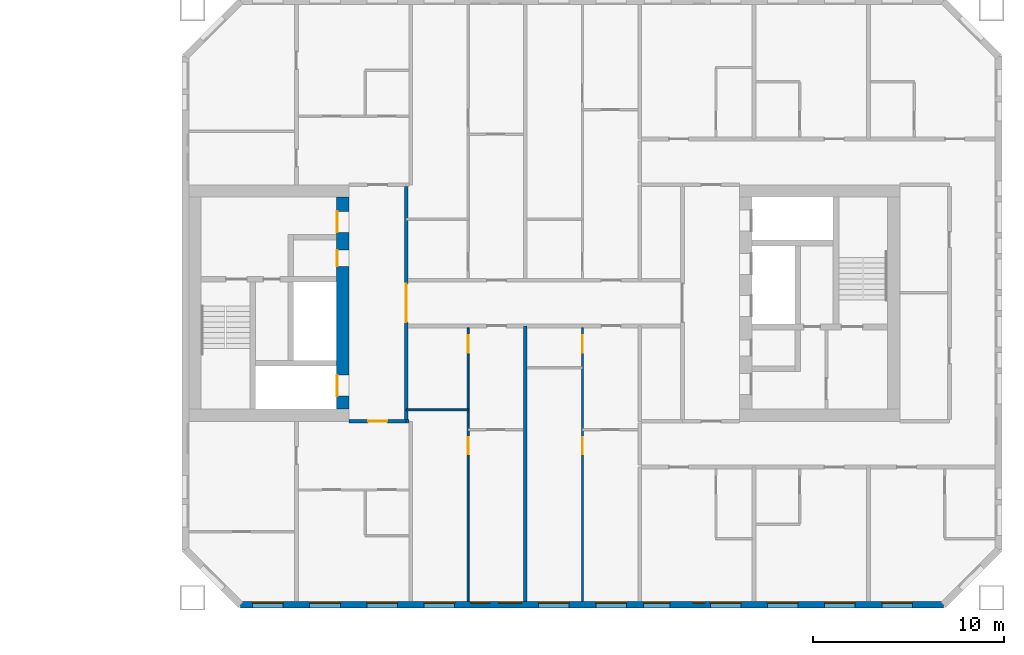
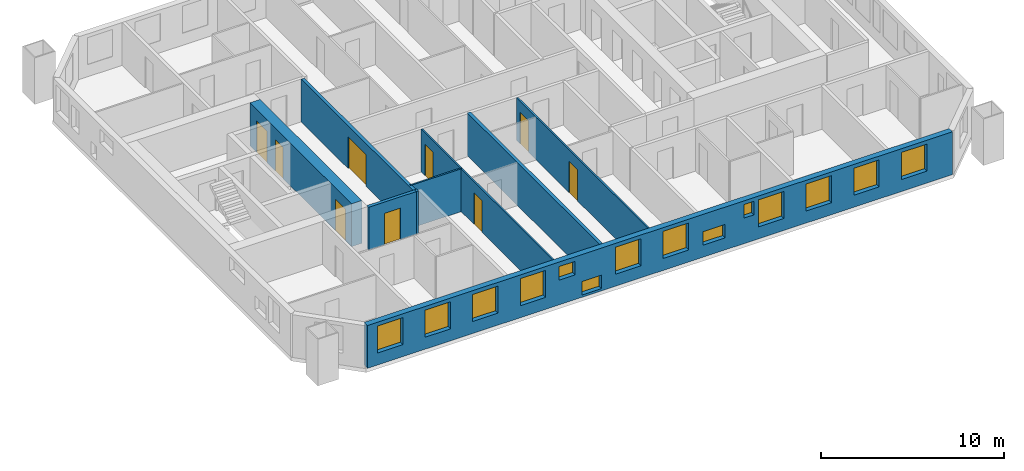
# One storey, part 10 of 17: 14 windows, 9 doors, 9 walls, 23 openings.
"""IFC4 building model written with IfcOpenShell, lengths in metres."""

from ifc_helpers import new_model, si_unit, direction, frame, frame_2d, origin, place, context, subcontext, project, spatial, rectangle, extrude, material, layer, layer_set, type_object, element, fill, save


model = new_model("IFC4")

# Units and contexts
model_context = context("Model", 3, precision=1e-05, world=origin(), true_north=direction((0.0, 1.0)))
body_context = subcontext(model_context, "Body", "Model", "MODEL_VIEW")
ifc_project = project(units=[si_unit("LENGTHUNIT", "METRE"), si_unit("AREAUNIT", "SQUARE_METRE"), si_unit("VOLUMEUNIT", "CUBIC_METRE"), si_unit("PLANEANGLEUNIT", "RADIAN"), si_unit("MASSUNIT", "GRAM", prefix="KILO")], contexts=[model_context])

# Site, building, storey
site_placement = place(None, origin())
site = spatial("IfcSite", under=ifc_project, at=site_placement, CompositionType="ELEMENT")
building_placement = place(site_placement, origin())
building = spatial("IfcBuilding", under=site, at=building_placement, Name="Tuart Gate Housing", CompositionType="ELEMENT")
storey_placement = place(building_placement, frame((0.0, 0.0, 108.800048828125)))
storey = spatial("IfcBuildingStorey", under=building, at=storey_placement, Name="L30", CompositionType="ELEMENT", Elevation=108.800048828125)

# Wall, openings, windows
ifc_material_1 = material(Name="Brick", Category="masonry")
ifc_layer_1 = layer(ifc_material_1, 0.360107421875)
ifc_layer_set_1 = layer_set([ifc_layer_1], Name="Brick pier and spandrel wall 360")
wall_type_1 = type_object("IfcWallType", Name="Brick pier and spandrel wall 360", PredefinedType="STANDARD", material=ifc_layer_set_1)
wall_1_placement = place(storey_placement, frame((134.07470703125, 54.179931640625, 0.0), z_axis=(0.0, 0.0, 1.0), x_axis=(1.0, 0.0, 0.0)))
wall_1 = element("IfcWall", 1, at=wall_1_placement, inside=storey, type_object=wall_type_1, Name="External wall B-S L30", PredefinedType="STANDARD", context=body_context, shape_type="SweptSolid", body=[
    extrude(rectangle(XDim=36.850830078125, YDim=0.360107421875, at=frame_2d((18.42529296875, 0.0))), origin(), (0.0, 0.0, 1.0), 2.849853515625),
])
opening_1_placement = place(wall_1_placement, frame((0.62548828125, 0.0, 0.800048828125)))
opening_1 = element("IfcOpeningElement", 2, at=opening_1_placement, cuts=wall_1, Name="Opening W1", PredefinedType="OPENING", context=body_context, shape_type="SweptSolid", body=[
    extrude(rectangle(XDim=1.60009765625, YDim=1.800048828125, at=frame_2d((0.800048828125, 0.89990234375))), frame((0.0, 0.18994140625, 0.0), z_axis=(0.0, -1.0, 0.0), x_axis=(1.0, 0.0, 0.0)), (0.0, 0.0, 1.0), 0.380126953125),
])
opening_2_placement = place(wall_1_placement, frame((3.62548828125, 0.0, 0.800048828125)))
opening_2 = element("IfcOpeningElement", 3, at=opening_2_placement, cuts=wall_1, Name="Opening W1", PredefinedType="OPENING", context=body_context, shape_type="SweptSolid", body=[
    extrude(rectangle(XDim=1.60009765625, YDim=1.800048828125, at=frame_2d((0.800048828125, 0.89990234375))), frame((0.0, 0.18994140625, 0.0), z_axis=(0.0, -1.0, 0.0), x_axis=(1.0, 0.0, 0.0)), (0.0, 0.0, 1.0), 0.380126953125),
])
opening_3_placement = place(wall_1_placement, frame((6.62548828125, 0.0, 0.800048828125)))
opening_3 = element("IfcOpeningElement", 4, at=opening_3_placement, cuts=wall_1, Name="Opening W1", PredefinedType="OPENING", context=body_context, shape_type="SweptSolid", body=[
    extrude(rectangle(XDim=1.60009765625, YDim=1.800048828125, at=frame_2d((0.800048828125, 0.89990234375))), frame((0.0, 0.18994140625, 0.0), z_axis=(0.0, -1.0, 0.0), x_axis=(1.0, 0.0, 0.0)), (0.0, 0.0, 1.0), 0.380126953125),
])
opening_4_placement = place(wall_1_placement, frame((9.62548828125, 0.0, 0.800048828125)))
opening_4 = element("IfcOpeningElement", 5, at=opening_4_placement, cuts=wall_1, Name="Opening W1", PredefinedType="OPENING", context=body_context, shape_type="SweptSolid", body=[
    extrude(rectangle(XDim=1.60009765625, YDim=1.800048828125, at=frame_2d((0.800048828125, 0.89990234375))), frame((0.0, 0.18994140625, 0.0), z_axis=(0.0, -1.0, 0.0), x_axis=(1.0, 0.0, 0.0)), (0.0, 0.0, 1.0), 0.380126953125),
])
opening_5_placement = place(wall_1_placement, frame((12.075439453125, 0.0, 1.64990234375)))
opening_5 = element("IfcOpeningElement", 6, at=opening_5_placement, cuts=wall_1, Name="Opening W1U", PredefinedType="OPENING", context=body_context, shape_type="SweptSolid", body=[
    extrude(rectangle(XDim=1.0, YDim=0.89990234375, at=frame_2d((0.5, 0.449951171875))), frame((0.0, 0.18994140625, 0.0), z_axis=(0.0, -1.0, 0.0), x_axis=(1.0, 0.0, 0.0)), (0.0, 0.0, 1.0), 0.380126953125),
])
opening_6_placement = place(wall_1_placement, frame((15.62548828125, 0.0, 0.800048828125)))
opening_6 = element("IfcOpeningElement", 7, at=opening_6_placement, cuts=wall_1, Name="Opening W1", PredefinedType="OPENING", context=body_context, shape_type="SweptSolid", body=[
    extrude(rectangle(XDim=1.60009765625, YDim=1.800048828125, at=frame_2d((0.800048828125, 0.89990234375))), frame((0.0, 0.18994140625, 0.0), z_axis=(0.0, -1.0, 0.0), x_axis=(1.0, 0.0, 0.0)), (0.0, 0.0, 1.0), 0.380126953125),
])
opening_7_placement = place(wall_1_placement, frame((18.62548828125, 0.0, 0.800048828125)))
opening_7 = element("IfcOpeningElement", 8, at=opening_7_placement, cuts=wall_1, Name="Opening W1", PredefinedType="OPENING", context=body_context, shape_type="SweptSolid", body=[
    extrude(rectangle(XDim=1.60009765625, YDim=1.800048828125, at=frame_2d((0.800048828125, 0.89990234375))), frame((0.0, 0.18994140625, 0.0), z_axis=(0.0, -1.0, 0.0), x_axis=(1.0, 0.0, 0.0)), (0.0, 0.0, 1.0), 0.380126953125),
])
opening_8_placement = place(wall_1_placement, frame((21.12548828125, 0.0, 0.800048828125)))
opening_8 = element("IfcOpeningElement", 9, at=opening_8_placement, cuts=wall_1, Name="Opening W1S", PredefinedType="OPENING", context=body_context, shape_type="SweptSolid", body=[
    extrude(rectangle(XDim=1.39990234375, YDim=0.89990234375, at=frame_2d((0.699951171875, 0.449951171875))), frame((0.0, 0.18994140625, 0.0), z_axis=(0.0, -1.0, 0.0), x_axis=(1.0, 0.0, 0.0)), (0.0, 0.0, 1.0), 0.380126953125),
])
opening_9_placement = place(wall_1_placement, frame((24.62548828125, 0.0, 0.800048828125)))
opening_9 = element("IfcOpeningElement", 10, at=opening_9_placement, cuts=wall_1, Name="Opening W1", PredefinedType="OPENING", context=body_context, shape_type="SweptSolid", body=[
    extrude(rectangle(XDim=1.60009765625, YDim=1.800048828125, at=frame_2d((0.800048828125, 0.89990234375))), frame((0.0, 0.18994140625, 0.0), z_axis=(0.0, -1.0, 0.0), x_axis=(1.0, 0.0, 0.0)), (0.0, 0.0, 1.0), 0.380126953125),
])
opening_10_placement = place(wall_1_placement, frame((27.62548828125, 0.0, 0.800048828125)))
opening_10 = element("IfcOpeningElement", 11, at=opening_10_placement, cuts=wall_1, Name="Opening W1", PredefinedType="OPENING", context=body_context, shape_type="SweptSolid", body=[
    extrude(rectangle(XDim=1.60009765625, YDim=1.800048828125, at=frame_2d((0.800048828125, 0.89990234375))), frame((0.0, 0.18994140625, 0.0), z_axis=(0.0, -1.0, 0.0), x_axis=(1.0, 0.0, 0.0)), (0.0, 0.0, 1.0), 0.380126953125),
])
opening_11_placement = place(wall_1_placement, frame((30.62548828125, 0.0, 0.800048828125)))
opening_11 = element("IfcOpeningElement", 12, at=opening_11_placement, cuts=wall_1, Name="Opening W1", PredefinedType="OPENING", context=body_context, shape_type="SweptSolid", body=[
    extrude(rectangle(XDim=1.60009765625, YDim=1.800048828125, at=frame_2d((0.800048828125, 0.89990234375))), frame((0.0, 0.18994140625, 0.0), z_axis=(0.0, -1.0, 0.0), x_axis=(1.0, 0.0, 0.0)), (0.0, 0.0, 1.0), 0.380126953125),
])
opening_12_placement = place(wall_1_placement, frame((33.62548828125, 0.0, 0.800048828125)))
opening_12 = element("IfcOpeningElement", 13, at=opening_12_placement, cuts=wall_1, Name="Opening W1", PredefinedType="OPENING", context=body_context, shape_type="SweptSolid", body=[
    extrude(rectangle(XDim=1.60009765625, YDim=1.800048828125, at=frame_2d((0.800048828125, 0.89990234375))), frame((0.0, 0.18994140625, 0.0), z_axis=(0.0, -1.0, 0.0), x_axis=(1.0, 0.0, 0.0)), (0.0, 0.0, 1.0), 0.380126953125),
])
opening_13_placement = place(wall_1_placement, frame((13.525390625, 0.0, 0.14990234375)))
opening_13 = element("IfcOpeningElement", 14, at=opening_13_placement, cuts=wall_1, Name="Opening W1T", PredefinedType="OPENING", context=body_context, shape_type="SweptSolid", body=[
    extrude(rectangle(XDim=1.199951171875, YDim=0.89990234375, at=frame_2d((0.60009765625, 0.449951171875))), frame((0.0, 0.18994140625, 0.0), z_axis=(0.0, -1.0, 0.0), x_axis=(1.0, 0.0, 0.0)), (0.0, 0.0, 1.0), 0.380126953125),
])
opening_14_placement = place(wall_1_placement, frame((23.725341796875, 0.0, 1.699951171875)))
opening_14 = element("IfcOpeningElement", 15, at=opening_14_placement, cuts=wall_1, Name="Opening W1W", PredefinedType="OPENING", context=body_context, shape_type="SweptSolid", body=[
    extrude(rectangle(XDim=0.60009765625, YDim=0.89990234375, at=frame_2d((0.300048828125, 0.449951171875))), frame((0.0, 0.18994140625, 0.0), z_axis=(0.0, -1.0, 0.0), x_axis=(1.0, 0.0, 0.0)), (0.0, 0.0, 1.0), 0.380126953125),
])
ifc_material_2 = material(Name="Aluminium frame with clear glass", Category="aluminium")
window_type_1 = type_object("IfcWindowType", Name="Punched window 1000 x 900", PartitioningType="SINGLE_PANEL", PredefinedType="WINDOW", material=ifc_material_2)
window_1_placement = place(opening_5_placement, origin())
window_1 = element("IfcWindow", 16, at=window_1_placement, inside=storey, type_object=window_type_1, Name="Window W1U", OverallHeight=0.89990234375, OverallWidth=1.0, PartitioningType="SINGLE_PANEL", PredefinedType="WINDOW", context=body_context, shape_type="SweptSolid", body=[
    extrude(rectangle(XDim=1.0, YDim=0.89990234375, at=frame_2d((0.5, 0.449951171875))), frame((0.0, 0.150146484375, 0.0), z_axis=(0.0, -1.0, 0.0), x_axis=(1.0, 0.0, 0.0)), (0.0, 0.0, 1.0), 0.06005859375),
])
fill(opening_5, window_1)
ifc_material_3 = material(Name="Aluminium frame with clear glass", Category="aluminium")
window_type_2 = type_object("IfcWindowType", Name="Punched window 1200 x 900", PartitioningType="SINGLE_PANEL", PredefinedType="WINDOW", material=ifc_material_3)
window_2_placement = place(opening_13_placement, origin())
window_2 = element("IfcWindow", 17, at=window_2_placement, inside=storey, type_object=window_type_2, Name="Window W1T", OverallHeight=0.89990234375, OverallWidth=1.199951171875, PartitioningType="SINGLE_PANEL", PredefinedType="WINDOW", context=body_context, shape_type="SweptSolid", body=[
    extrude(rectangle(XDim=1.199951171875, YDim=0.89990234375, at=frame_2d((0.60009765625, 0.449951171875))), frame((0.0, 0.150146484375, 0.0), z_axis=(0.0, -1.0, 0.0), x_axis=(1.0, 0.0, 0.0)), (0.0, 0.0, 1.0), 0.06005859375),
])
fill(opening_13, window_2)
ifc_material_4 = material(Name="Aluminium frame with clear glass", Category="aluminium")
window_type_3 = type_object("IfcWindowType", Name="Punched window 1400 x 900", PartitioningType="SINGLE_PANEL", PredefinedType="WINDOW", material=ifc_material_4)
window_3_placement = place(opening_8_placement, origin())
window_3 = element("IfcWindow", 18, at=window_3_placement, inside=storey, type_object=window_type_3, Name="Window W1S", OverallHeight=0.89990234375, OverallWidth=1.39990234375, PartitioningType="SINGLE_PANEL", PredefinedType="WINDOW", context=body_context, shape_type="SweptSolid", body=[
    extrude(rectangle(XDim=1.39990234375, YDim=0.89990234375, at=frame_2d((0.699951171875, 0.449951171875))), frame((0.0, 0.150146484375, 0.0), z_axis=(0.0, -1.0, 0.0), x_axis=(1.0, 0.0, 0.0)), (0.0, 0.0, 1.0), 0.06005859375),
])
fill(opening_8, window_3)
ifc_material_5 = material(Name="Aluminium frame with clear glass", Category="aluminium")
window_type_4 = type_object("IfcWindowType", Name="Punched window 1600 x 1800", PartitioningType="SINGLE_PANEL", PredefinedType="WINDOW", material=ifc_material_5)
window_4_placement = place(opening_1_placement, origin())
window_4 = element("IfcWindow", 19, at=window_4_placement, inside=storey, type_object=window_type_4, Name="Window W1", OverallHeight=1.800048828125, OverallWidth=1.60009765625, PartitioningType="SINGLE_PANEL", PredefinedType="WINDOW", context=body_context, shape_type="SweptSolid", body=[
    extrude(rectangle(XDim=1.60009765625, YDim=1.800048828125, at=frame_2d((0.800048828125, 0.89990234375))), frame((0.0, 0.150146484375, 0.0), z_axis=(0.0, -1.0, 0.0), x_axis=(1.0, 0.0, 0.0)), (0.0, 0.0, 1.0), 0.06005859375),
])
fill(opening_1, window_4)
window_5_placement = place(opening_2_placement, origin())
window_5 = element("IfcWindow", 20, at=window_5_placement, inside=storey, type_object=window_type_4, Name="Window W1", OverallHeight=1.800048828125, OverallWidth=1.60009765625, PartitioningType="SINGLE_PANEL", PredefinedType="WINDOW", context=body_context, shape_type="SweptSolid", body=[
    extrude(rectangle(XDim=1.60009765625, YDim=1.800048828125, at=frame_2d((0.800048828125, 0.89990234375))), frame((0.0, 0.150146484375, 0.0), z_axis=(0.0, -1.0, 0.0), x_axis=(1.0, 0.0, 0.0)), (0.0, 0.0, 1.0), 0.06005859375),
])
fill(opening_2, window_5)
window_6_placement = place(opening_3_placement, origin())
window_6 = element("IfcWindow", 21, at=window_6_placement, inside=storey, type_object=window_type_4, Name="Window W1", OverallHeight=1.800048828125, OverallWidth=1.60009765625, PartitioningType="SINGLE_PANEL", PredefinedType="WINDOW", context=body_context, shape_type="SweptSolid", body=[
    extrude(rectangle(XDim=1.60009765625, YDim=1.800048828125, at=frame_2d((0.800048828125, 0.89990234375))), frame((0.0, 0.150146484375, 0.0), z_axis=(0.0, -1.0, 0.0), x_axis=(1.0, 0.0, 0.0)), (0.0, 0.0, 1.0), 0.06005859375),
])
fill(opening_3, window_6)
window_7_placement = place(opening_4_placement, origin())
window_7 = element("IfcWindow", 22, at=window_7_placement, inside=storey, type_object=window_type_4, Name="Window W1", OverallHeight=1.800048828125, OverallWidth=1.60009765625, PartitioningType="SINGLE_PANEL", PredefinedType="WINDOW", context=body_context, shape_type="SweptSolid", body=[
    extrude(rectangle(XDim=1.60009765625, YDim=1.800048828125, at=frame_2d((0.800048828125, 0.89990234375))), frame((0.0, 0.150146484375, 0.0), z_axis=(0.0, -1.0, 0.0), x_axis=(1.0, 0.0, 0.0)), (0.0, 0.0, 1.0), 0.06005859375),
])
fill(opening_4, window_7)
window_8_placement = place(opening_6_placement, origin())
window_8 = element("IfcWindow", 23, at=window_8_placement, inside=storey, type_object=window_type_4, Name="Window W1", OverallHeight=1.800048828125, OverallWidth=1.60009765625, PartitioningType="SINGLE_PANEL", PredefinedType="WINDOW", context=body_context, shape_type="SweptSolid", body=[
    extrude(rectangle(XDim=1.60009765625, YDim=1.800048828125, at=frame_2d((0.800048828125, 0.89990234375))), frame((0.0, 0.150146484375, 0.0), z_axis=(0.0, -1.0, 0.0), x_axis=(1.0, 0.0, 0.0)), (0.0, 0.0, 1.0), 0.06005859375),
])
fill(opening_6, window_8)
window_9_placement = place(opening_7_placement, origin())
window_9 = element("IfcWindow", 24, at=window_9_placement, inside=storey, type_object=window_type_4, Name="Window W1", OverallHeight=1.800048828125, OverallWidth=1.60009765625, PartitioningType="SINGLE_PANEL", PredefinedType="WINDOW", context=body_context, shape_type="SweptSolid", body=[
    extrude(rectangle(XDim=1.60009765625, YDim=1.800048828125, at=frame_2d((0.800048828125, 0.89990234375))), frame((0.0, 0.150146484375, 0.0), z_axis=(0.0, -1.0, 0.0), x_axis=(1.0, 0.0, 0.0)), (0.0, 0.0, 1.0), 0.06005859375),
])
fill(opening_7, window_9)
window_10_placement = place(opening_9_placement, origin())
window_10 = element("IfcWindow", 25, at=window_10_placement, inside=storey, type_object=window_type_4, Name="Window W1", OverallHeight=1.800048828125, OverallWidth=1.60009765625, PartitioningType="SINGLE_PANEL", PredefinedType="WINDOW", context=body_context, shape_type="SweptSolid", body=[
    extrude(rectangle(XDim=1.60009765625, YDim=1.800048828125, at=frame_2d((0.800048828125, 0.89990234375))), frame((0.0, 0.150146484375, 0.0), z_axis=(0.0, -1.0, 0.0), x_axis=(1.0, 0.0, 0.0)), (0.0, 0.0, 1.0), 0.06005859375),
])
fill(opening_9, window_10)
window_11_placement = place(opening_10_placement, origin())
window_11 = element("IfcWindow", 26, at=window_11_placement, inside=storey, type_object=window_type_4, Name="Window W1", OverallHeight=1.800048828125, OverallWidth=1.60009765625, PartitioningType="SINGLE_PANEL", PredefinedType="WINDOW", context=body_context, shape_type="SweptSolid", body=[
    extrude(rectangle(XDim=1.60009765625, YDim=1.800048828125, at=frame_2d((0.800048828125, 0.89990234375))), frame((0.0, 0.150146484375, 0.0), z_axis=(0.0, -1.0, 0.0), x_axis=(1.0, 0.0, 0.0)), (0.0, 0.0, 1.0), 0.06005859375),
])
fill(opening_10, window_11)
window_12_placement = place(opening_11_placement, origin())
window_12 = element("IfcWindow", 27, at=window_12_placement, inside=storey, type_object=window_type_4, Name="Window W1", OverallHeight=1.800048828125, OverallWidth=1.60009765625, PartitioningType="SINGLE_PANEL", PredefinedType="WINDOW", context=body_context, shape_type="SweptSolid", body=[
    extrude(rectangle(XDim=1.60009765625, YDim=1.800048828125, at=frame_2d((0.800048828125, 0.89990234375))), frame((0.0, 0.150146484375, 0.0), z_axis=(0.0, -1.0, 0.0), x_axis=(1.0, 0.0, 0.0)), (0.0, 0.0, 1.0), 0.06005859375),
])
fill(opening_11, window_12)
window_13_placement = place(opening_12_placement, origin())
window_13 = element("IfcWindow", 28, at=window_13_placement, inside=storey, type_object=window_type_4, Name="Window W1", OverallHeight=1.800048828125, OverallWidth=1.60009765625, PartitioningType="SINGLE_PANEL", PredefinedType="WINDOW", context=body_context, shape_type="SweptSolid", body=[
    extrude(rectangle(XDim=1.60009765625, YDim=1.800048828125, at=frame_2d((0.800048828125, 0.89990234375))), frame((0.0, 0.150146484375, 0.0), z_axis=(0.0, -1.0, 0.0), x_axis=(1.0, 0.0, 0.0)), (0.0, 0.0, 1.0), 0.06005859375),
])
fill(opening_12, window_13)
ifc_material_6 = material(Name="Aluminium frame with clear glass", Category="aluminium")
window_type_5 = type_object("IfcWindowType", Name="Punched window 600 x 900", PartitioningType="SINGLE_PANEL", PredefinedType="WINDOW", material=ifc_material_6)
window_14_placement = place(opening_14_placement, origin())
window_14 = element("IfcWindow", 29, at=window_14_placement, inside=storey, type_object=window_type_5, Name="Window W1W", OverallHeight=0.89990234375, OverallWidth=0.60009765625, PartitioningType="SINGLE_PANEL", PredefinedType="WINDOW", context=body_context, shape_type="SweptSolid", body=[
    extrude(rectangle(XDim=0.60009765625, YDim=0.89990234375, at=frame_2d((0.300048828125, 0.449951171875))), frame((0.0, 0.150146484375, 0.0), z_axis=(0.0, -1.0, 0.0), x_axis=(1.0, 0.0, 0.0)), (0.0, 0.0, 1.0), 0.06005859375),
])
fill(opening_14, window_14)

# Wall, openings, doors
ifc_material_7 = material(Name="Concrete C50", Category="concrete")
ifc_layer_2 = layer(ifc_material_7, 0.64990234375)
ifc_layer_set_2 = layer_set([ifc_layer_2], Name="Core wall 650 C50")
wall_type_2 = type_object("IfcWallType", Name="Core wall 650 C50", PredefinedType="SHEAR", material=ifc_layer_set_2)
wall_2_placement = place(storey_placement, frame((139.43505859375, 64.449951171875, 0.0), z_axis=(0.0, 0.0, 1.0), x_axis=(0.0, 1.0, 0.0)))
wall_2 = element("IfcWall", 30, at=wall_2_placement, inside=storey, type_object=wall_type_2, Name="Core wall BG front", PredefinedType="SHEAR", context=body_context, shape_type="SweptSolid", body=[
    extrude(rectangle(XDim=11.10009765625, YDim=0.64990234375, at=frame_2d((5.550048828125, 0.0))), origin(), (0.0, 0.0, 1.0), 2.849853515625),
])
opening_15_placement = place(wall_2_placement, frame((0.675048828125, 0.0, 0.0)))
opening_15 = element("IfcOpeningElement", 31, at=opening_15_placement, cuts=wall_2, Name="Opening LD-FB1", PredefinedType="OPENING", context=body_context, shape_type="SweptSolid", body=[
    extrude(rectangle(XDim=1.10009765625, YDim=2.10009765625, at=frame_2d((0.550048828125, 1.050048828125))), frame((0.0, 0.3349609375, 0.0), z_axis=(0.0, -1.0, 0.0), x_axis=(1.0, 0.0, 0.0)), (0.0, 0.0, 1.0), 0.669921875),
])
opening_16_placement = place(wall_2_placement, frame((9.25, 0.0, 0.0)))
opening_16 = element("IfcOpeningElement", 32, at=opening_16_placement, cuts=wall_2, Name="Opening D1259", PredefinedType="OPENING", context=body_context, shape_type="SweptSolid", body=[
    extrude(rectangle(XDim=1.10009765625, YDim=2.10009765625, at=frame_2d((0.550048828125, 1.050048828125))), frame((0.0, 0.3349609375, 0.0), z_axis=(0.0, -1.0, 0.0), x_axis=(1.0, 0.0, 0.0)), (0.0, 0.0, 1.0), 0.669921875),
])
opening_17_placement = place(wall_2_placement, frame((7.47509765625, 0.0, 0.0)))
opening_17 = element("IfcOpeningElement", 33, at=opening_17_placement, cuts=wall_2, Name="Opening D1260", PredefinedType="OPENING", context=body_context, shape_type="SweptSolid", body=[
    extrude(rectangle(XDim=0.85009765625, YDim=2.10009765625, at=frame_2d((0.425048828125, 1.050048828125))), frame((0.0, 0.3349609375, 0.0), z_axis=(0.0, -1.0, 0.0), x_axis=(1.0, 0.0, 0.0)), (0.0, 0.0, 1.0), 0.669921875),
])
ifc_material_8 = material(Name="Stainless steel", Category="steel")
door_type_1 = type_object("IfcDoorType", Name="Landing door 1100 x 2100", OperationType="DOUBLE_DOOR_SLIDING", PredefinedType="DOOR", material=ifc_material_8)
door_1_placement = place(opening_15_placement, origin())
door_1 = element("IfcDoor", 34, at=door_1_placement, inside=storey, type_object=door_type_1, Name="Lift landing door FB1", OperationType="DOUBLE_DOOR_SLIDING", OverallHeight=2.10009765625, OverallWidth=1.10009765625, PredefinedType="DOOR", context=body_context, shape_type="SweptSolid", body=[
    extrude(rectangle(XDim=1.10009765625, YDim=2.10009765625, at=frame_2d((0.550048828125, 1.050048828125))), frame((0.0, 0.31005859375, 0.0), z_axis=(0.0, -1.0, 0.0), x_axis=(1.0, 0.0, 0.0)), (0.0, 0.0, 1.0), 0.050048828125),
])
fill(opening_15, door_1)
ifc_material_9 = material(Name="Steel fire door", Category="steel")
door_type_2 = type_object("IfcDoorType", Name="Lobby door 1100 x 2100", OperationType="SINGLE_SWING_LEFT", PredefinedType="DOOR", material=ifc_material_9)
door_2_placement = place(opening_16_placement, origin())
door_2 = element("IfcDoor", 35, at=door_2_placement, inside=storey, type_object=door_type_2, Name="Lobby entry door BG.EN", OperationType="SINGLE_SWING_LEFT", OverallHeight=2.10009765625, OverallWidth=1.10009765625, PredefinedType="DOOR", context=body_context, shape_type="SweptSolid", body=[
    extrude(rectangle(XDim=1.10009765625, YDim=2.10009765625, at=frame_2d((0.550048828125, 1.050048828125))), frame((0.0, 0.31005859375, 0.0), z_axis=(0.0, -1.0, 0.0), x_axis=(1.0, 0.0, 0.0)), (0.0, 0.0, 1.0), 0.050048828125),
])
fill(opening_16, door_2)
ifc_material_10 = material(Name="Steel fire door", Category="steel")
door_type_3 = type_object("IfcDoorType", Name="Service door 850 x 2100", OperationType="SINGLE_SWING_LEFT", PredefinedType="DOOR", material=ifc_material_10)
door_3_placement = place(opening_17_placement, origin())
door_3 = element("IfcDoor", 36, at=door_3_placement, inside=storey, type_object=door_type_3, Name="Service room door BG.T1", OperationType="SINGLE_SWING_LEFT", OverallHeight=2.10009765625, OverallWidth=0.85009765625, PredefinedType="DOOR", context=body_context, shape_type="SweptSolid", body=[
    extrude(rectangle(XDim=0.85009765625, YDim=2.10009765625, at=frame_2d((0.425048828125, 1.050048828125))), frame((0.0, 0.31005859375, 0.0), z_axis=(0.0, -1.0, 0.0), x_axis=(1.0, 0.0, 0.0)), (0.0, 0.0, 1.0), 0.050048828125),
])
fill(opening_17, door_3)

# Wall, opening, door
ifc_material_11 = material(Name="Concrete masonry 15 MPa", Category="masonry")
ifc_layer_3 = layer(ifc_material_11, 0.199951171875)
ifc_layer_set_3 = layer_set([ifc_layer_3], Name="Enclosure wall masonry 200")
wall_type_3 = type_object("IfcWallType", Name="Enclosure wall masonry 200", PredefinedType="PARTITIONING", material=ifc_layer_set_3)
wall_3_placement = place(storey_placement, frame((139.760009765625, 63.800048828125, 0.0), z_axis=(0.0, 0.0, 1.0), x_axis=(1.0, 0.0, 0.0)))
wall_3 = element("IfcWall", 37, at=wall_3_placement, inside=storey, type_object=wall_type_3, Name="Enclosure wall masonry 200", PredefinedType="PARTITIONING", context=body_context, shape_type="SweptSolid", body=[
    extrude(rectangle(XDim=3.0, YDim=0.199951171875, at=frame_2d((1.5, 0.0))), origin(), (0.0, 0.0, 1.0), 2.849853515625),
])
opening_18_placement = place(wall_3_placement, frame((1.0, 0.0, 0.0)))
opening_18 = element("IfcOpeningElement", 38, at=opening_18_placement, cuts=wall_3, Name="Opening D1272", PredefinedType="OPENING", context=body_context, shape_type="SweptSolid", body=[
    extrude(rectangle(XDim=1.0, YDim=2.10009765625, at=frame_2d((0.5, 1.050048828125))), frame((0.0, 0.10986328125, 0.0), z_axis=(0.0, -1.0, 0.0), x_axis=(1.0, 0.0, 0.0)), (0.0, 0.0, 1.0), 0.219970703125),
])
ifc_material_12 = material(Name="Timber door leaf in steel frame", Category="steel")
door_type_4 = type_object("IfcDoorType", Name="Flat entrance door 1000", OperationType="SINGLE_SWING_LEFT", PredefinedType="DOOR", material=ifc_material_12)
door_4_placement = place(opening_18_placement, frame((1.0, 0.0, 0.0), z_axis=(0.0, 0.0, 1.0), x_axis=(-1.0, 0.0, 0.0)))
door_4 = element("IfcDoor", 39, at=door_4_placement, inside=storey, type_object=door_type_4, Name="Flat entrance door", OperationType="SINGLE_SWING_LEFT", OverallHeight=2.10009765625, OverallWidth=1.0, PredefinedType="DOOR", context=body_context, shape_type="SweptSolid", body=[
    extrude(rectangle(XDim=1.0, YDim=2.10009765625, at=frame_2d((0.5, 1.050048828125))), frame((0.0, 0.025146484375, 0.0), z_axis=(0.0, -1.0, 0.0), x_axis=(1.0, 0.0, 0.0)), (0.0, 0.0, 1.0), 0.050048828125),
])
fill(opening_18, door_4)

ifc_material_13 = material(Name="Plasterboard partition")
ifc_layer_4 = layer(ifc_material_13, 0.199951171875)
ifc_layer_set_4 = layer_set([ifc_layer_4], Name="Lobby wall 200")
wall_type_4 = type_object("IfcWallType", Name="Lobby wall 200", PredefinedType="PARTITIONING", material=ifc_layer_set_4)
wall_4_placement = place(storey_placement, frame((142.760009765625, 63.89990234375, 0.0), z_axis=(0.0, 0.0, 1.0), x_axis=(0.0, 1.0, 0.0)))
wall_4 = element("IfcWall", 40, at=wall_4_placement, inside=storey, type_object=wall_type_4, Name="Lift lobby wall BG", PredefinedType="PARTITIONING", context=body_context, shape_type="SweptSolid", body=[
    extrude(rectangle(XDim=12.2001953125, YDim=0.199951171875, at=frame_2d((6.10009765625, 0.0))), origin(), (0.0, 0.0, 1.0), 2.849853515625),
])
opening_19_placement = place(wall_4_placement, frame((5.10009765625, 0.0, 0.0)))
opening_19 = element("IfcOpeningElement", 41, at=opening_19_placement, cuts=wall_4, Name="Opening D1261", PredefinedType="OPENING", context=body_context, shape_type="SweptSolid", body=[
    extrude(rectangle(XDim=2.0, YDim=2.10009765625, at=frame_2d((1.0, 1.050048828125))), frame((0.0, 0.10986328125, 0.0), z_axis=(0.0, -1.0, 0.0), x_axis=(1.0, 0.0, 0.0)), (0.0, 0.0, 1.0), 0.219970703125),
])
ifc_material_14 = material(Name="Steel fire door", Category="steel")
door_type_5 = type_object("IfcDoorType", Name="Smoke door 2000 x 2100", OperationType="DOUBLE_DOOR_SINGLE_SWING", PredefinedType="DOOR", material=ifc_material_14)
door_5_placement = place(opening_19_placement, origin())
door_5 = element("IfcDoor", 42, at=door_5_placement, inside=storey, type_object=door_type_5, Name="Lift lobby smoke door BG", OperationType="DOUBLE_DOOR_SINGLE_SWING", OverallHeight=2.10009765625, OverallWidth=2.0, PredefinedType="DOOR", context=body_context, shape_type="SweptSolid", body=[
    extrude(rectangle(XDim=2.0, YDim=2.10009765625, at=frame_2d((1.0, 1.050048828125))), frame((0.0, 0.02490234375, 0.0), z_axis=(0.0, -1.0, 0.0), x_axis=(1.0, 0.0, 0.0)), (0.0, 0.0, 1.0), 0.050048828125),
])
fill(opening_19, door_5)

# Wall
ifc_material_15 = material(Name="Gypsum board on steel studs", Category="steel")
ifc_layer_5 = layer(ifc_material_15, 0.10009765625)
ifc_layer_set_5 = layer_set([ifc_layer_5], Name="Partition 100")
wall_type_5 = type_object("IfcWallType", Name="Partition 100", PredefinedType="PARTITIONING", material=ifc_layer_set_5)
wall_5_placement = place(storey_placement, frame((142.760009765625, 64.39990234375, 0.0), z_axis=(0.0, 0.0, 1.0), x_axis=(1.0, 0.0, 0.0)))
element("IfcWall", 43, at=wall_5_placement, inside=storey, type_object=wall_type_5, Name="Partition 100", PredefinedType="PARTITIONING", context=body_context, shape_type="SweptSolid", body=[
    extrude(rectangle(XDim=3.239990234375, YDim=0.10009765625, at=frame_2d((1.6201171875, 0.0))), origin(), (0.0, 0.0, 1.0), 2.849853515625),
])

# Wall, openings, doors
wall_6_placement = place(storey_placement, frame((146.0, 54.360107421875, 0.0), z_axis=(0.0, 0.0, 1.0), x_axis=(0.0, 1.0, 0.0)))
wall_6 = element("IfcWall", 44, at=wall_6_placement, inside=storey, type_object=wall_type_5, Name="Partition 100", PredefinedType="PARTITIONING", context=body_context, shape_type="SweptSolid", body=[
    extrude(rectangle(XDim=14.33984375, YDim=0.10009765625, at=frame_2d((7.169921875, 0.0))), origin(), (0.0, 0.0, 1.0), 2.849853515625),
])
opening_20_placement = place(wall_6_placement, frame((7.699951171875, 0.0, 0.0)))
opening_20 = element("IfcOpeningElement", 45, at=opening_20_placement, cuts=wall_6, Name="Opening D1277", PredefinedType="OPENING", context=body_context, shape_type="SweptSolid", body=[
    extrude(rectangle(XDim=0.89990234375, YDim=2.10009765625, at=frame_2d((0.449951171875, 1.050048828125))), frame((0.0, 0.06005859375, 0.0), z_axis=(0.0, -1.0, 0.0), x_axis=(1.0, 0.0, 0.0)), (0.0, 0.0, 1.0), 0.1201171875),
])
opening_21_placement = place(wall_6_placement, frame((13.0400390625, 0.0, 0.0)))
opening_21 = element("IfcOpeningElement", 46, at=opening_21_placement, cuts=wall_6, Name="Opening D1276", PredefinedType="OPENING", context=body_context, shape_type="SweptSolid", body=[
    extrude(rectangle(XDim=0.89990234375, YDim=2.10009765625, at=frame_2d((0.449951171875, 1.050048828125))), frame((0.0, 0.06005859375, 0.0), z_axis=(0.0, -1.0, 0.0), x_axis=(1.0, 0.0, 0.0)), (0.0, 0.0, 1.0), 0.1201171875),
])
ifc_material_16 = material(Name="Timber door leaf in steel frame", Category="steel")
door_type_6 = type_object("IfcDoorType", Name="Bathroom door 900 RH", OperationType="SINGLE_SWING_RIGHT", PredefinedType="DOOR", material=ifc_material_16)
door_6_placement = place(opening_21_placement, origin())
door_6 = element("IfcDoor", 47, at=door_6_placement, inside=storey, type_object=door_type_6, Name="Bathroom door", OperationType="SINGLE_SWING_RIGHT", OverallHeight=2.10009765625, OverallWidth=0.89990234375, PredefinedType="DOOR", context=body_context, shape_type="SweptSolid", body=[
    extrude(rectangle(XDim=0.89990234375, YDim=2.10009765625, at=frame_2d((0.449951171875, 1.050048828125))), frame((0.0, 0.02490234375, 0.0), z_axis=(0.0, -1.0, 0.0), x_axis=(1.0, 0.0, 0.0)), (0.0, 0.0, 1.0), 0.050048828125),
])
fill(opening_21, door_6)
ifc_material_17 = material(Name="Timber door leaf in steel frame", Category="steel")
door_type_7 = type_object("IfcDoorType", Name="Internal door 900 RH", OperationType="SINGLE_SWING_RIGHT", PredefinedType="DOOR", material=ifc_material_17)
door_7_placement = place(opening_20_placement, origin())
door_7 = element("IfcDoor", 48, at=door_7_placement, inside=storey, type_object=door_type_7, Name="Internal door", OperationType="SINGLE_SWING_RIGHT", OverallHeight=2.10009765625, OverallWidth=0.89990234375, PredefinedType="DOOR", context=body_context, shape_type="SweptSolid", body=[
    extrude(rectangle(XDim=0.89990234375, YDim=2.10009765625, at=frame_2d((0.449951171875, 1.050048828125))), frame((0.0, 0.02490234375, 0.0), z_axis=(0.0, -1.0, 0.0), x_axis=(1.0, 0.0, 0.0)), (0.0, 0.0, 1.0), 0.050048828125),
])
fill(opening_20, door_7)

wall_7_placement = place(storey_placement, frame((152.0, 54.360107421875, 0.0), z_axis=(0.0, 0.0, 1.0), x_axis=(0.0, 1.0, 0.0)))
wall_7 = element("IfcWall", 49, at=wall_7_placement, inside=storey, type_object=wall_type_5, Name="Partition 100", PredefinedType="PARTITIONING", context=body_context, shape_type="SweptSolid", body=[
    extrude(rectangle(XDim=14.33984375, YDim=0.10009765625, at=frame_2d((7.169921875, 0.0))), origin(), (0.0, 0.0, 1.0), 2.849853515625),
])
opening_22_placement = place(wall_7_placement, frame((7.699951171875, 0.0, 0.0)))
opening_22 = element("IfcOpeningElement", 50, at=opening_22_placement, cuts=wall_7, Name="Opening D1279", PredefinedType="OPENING", context=body_context, shape_type="SweptSolid", body=[
    extrude(rectangle(XDim=0.89990234375, YDim=2.10009765625, at=frame_2d((0.449951171875, 1.050048828125))), frame((0.0, 0.06005859375, 0.0), z_axis=(0.0, -1.0, 0.0), x_axis=(1.0, 0.0, 0.0)), (0.0, 0.0, 1.0), 0.1201171875),
])
opening_23_placement = place(wall_7_placement, frame((13.0400390625, 0.0, 0.0)))
opening_23 = element("IfcOpeningElement", 51, at=opening_23_placement, cuts=wall_7, Name="Opening D1278", PredefinedType="OPENING", context=body_context, shape_type="SweptSolid", body=[
    extrude(rectangle(XDim=0.89990234375, YDim=2.10009765625, at=frame_2d((0.449951171875, 1.050048828125))), frame((0.0, 0.06005859375, 0.0), z_axis=(0.0, -1.0, 0.0), x_axis=(1.0, 0.0, 0.0)), (0.0, 0.0, 1.0), 0.1201171875),
])
door_8_placement = place(opening_23_placement, origin())
door_8 = element("IfcDoor", 52, at=door_8_placement, inside=storey, type_object=door_type_6, Name="Bathroom door", OperationType="SINGLE_SWING_RIGHT", OverallHeight=2.10009765625, OverallWidth=0.89990234375, PredefinedType="DOOR", context=body_context, shape_type="SweptSolid", body=[
    extrude(rectangle(XDim=0.89990234375, YDim=2.10009765625, at=frame_2d((0.449951171875, 1.050048828125))), frame((0.0, 0.02490234375, 0.0), z_axis=(0.0, -1.0, 0.0), x_axis=(1.0, 0.0, 0.0)), (0.0, 0.0, 1.0), 0.050048828125),
])
fill(opening_23, door_8)
door_9_placement = place(opening_22_placement, origin())
door_9 = element("IfcDoor", 53, at=door_9_placement, inside=storey, type_object=door_type_7, Name="Internal door", OperationType="SINGLE_SWING_RIGHT", OverallHeight=2.10009765625, OverallWidth=0.89990234375, PredefinedType="DOOR", context=body_context, shape_type="SweptSolid", body=[
    extrude(rectangle(XDim=0.89990234375, YDim=2.10009765625, at=frame_2d((0.449951171875, 1.050048828125))), frame((0.0, 0.02490234375, 0.0), z_axis=(0.0, -1.0, 0.0), x_axis=(1.0, 0.0, 0.0)), (0.0, 0.0, 1.0), 0.050048828125),
])
fill(opening_22, door_9)

# Walls
ifc_material_18 = material(Name="Concrete C40", Category="concrete")
ifc_layer_6 = layer(ifc_material_18, 0.199951171875)
ifc_layer_set_6 = layer_set([ifc_layer_6], Name="Party wall concrete C40 200")
wall_type_6 = type_object("IfcWallType", Name="Party wall concrete C40 200", PredefinedType="SOLIDWALL", material=ifc_layer_set_6)
wall_8_placement = place(storey_placement, frame((149.0, 54.360107421875, 0.0), z_axis=(0.0, 0.0, 1.0), x_axis=(0.0, 1.0, 0.0)))
element("IfcWall", 54, at=wall_8_placement, inside=storey, type_object=wall_type_6, Name="Party wall concrete C40 200", PredefinedType="SOLIDWALL", context=body_context, shape_type="SweptSolid", body=[
    extrude(rectangle(XDim=14.43994140625, YDim=0.199951171875, at=frame_2d((7.219970703125, 0.0))), origin(), (0.0, 0.0, 1.0), 2.849853515625),
])
ifc_material_19 = material(Name="Concrete masonry 15 MPa", Category="masonry")
ifc_layer_7 = layer(ifc_material_19, 0.199951171875)
ifc_layer_set_7 = layer_set([ifc_layer_7], Name="Party wall masonry 200")
wall_type_7 = type_object("IfcWallType", Name="Party wall masonry 200", PredefinedType="PARTITIONING", material=ifc_layer_set_7)
wall_9_placement = place(storey_placement, frame((142.760009765625, 63.800048828125, 0.0), z_axis=(0.0, 0.0, 1.0), x_axis=(1.0, 0.0, 0.0)))
element("IfcWall", 55, at=wall_9_placement, inside=storey, type_object=wall_type_7, Name="Party wall masonry 200", PredefinedType="PARTITIONING", context=body_context, shape_type="SweptSolid", body=[
    extrude(rectangle(XDim=0.139892578125, YDim=0.199951171875, at=frame_2d((0.06982421875, 0.0))), origin(), (0.0, 0.0, 1.0), 2.849853515625),
])

save(model, "model.ifc")
